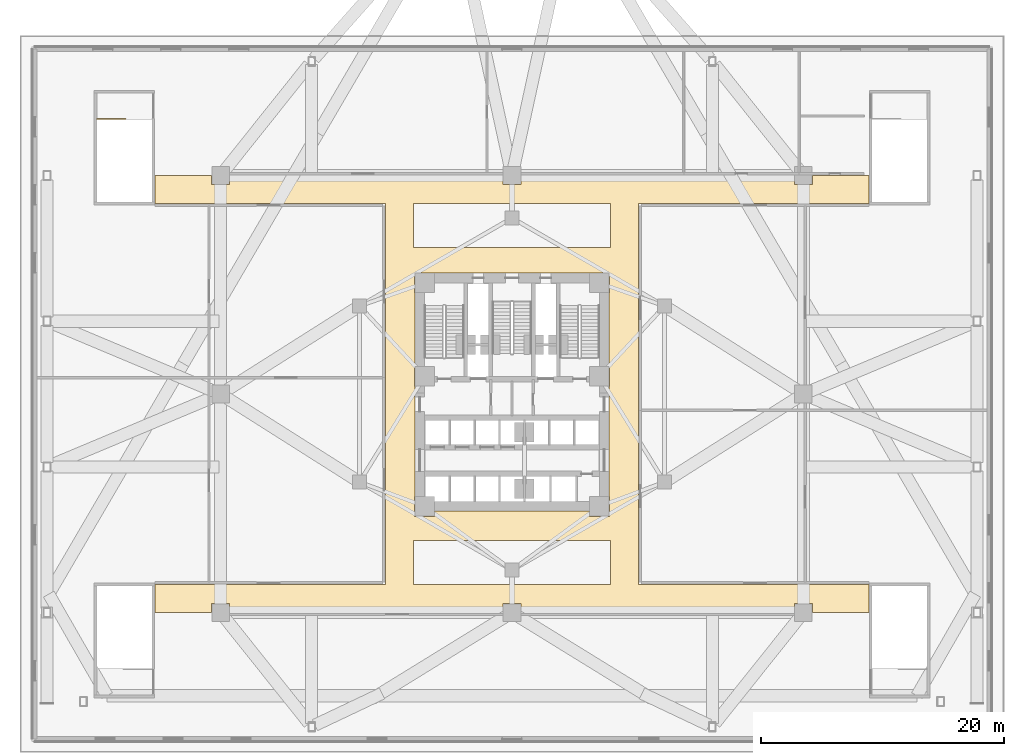
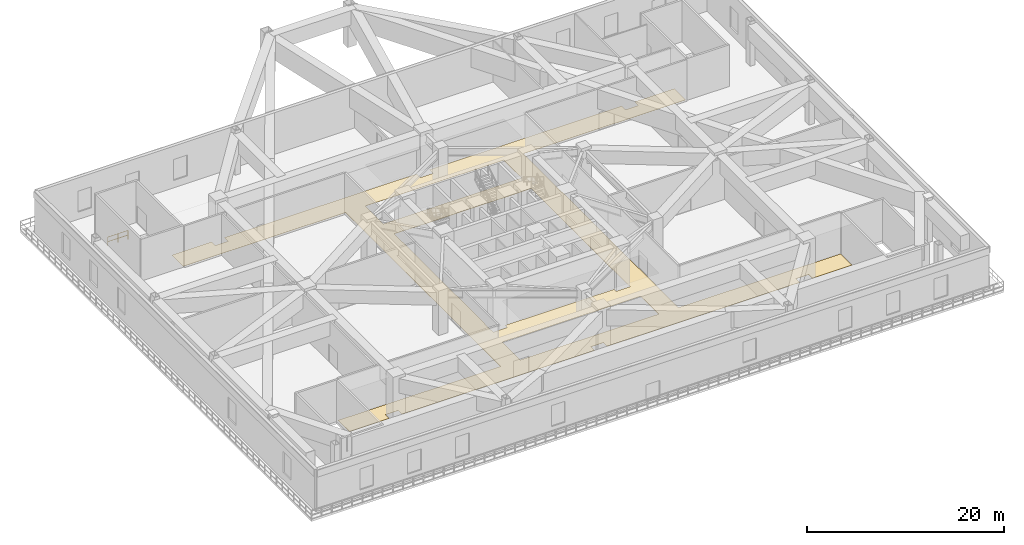
# One storey, part 13 of 15: 1 covering, 1 railing.
"""IFC4 building model written with IfcOpenShell, lengths in metres."""

from ifc_helpers import new_model, si_unit, direction, frame, origin, origin_2d, place, context, subcontext, project, spatial, polyline, rectangle, outline, extrude, material, layer, layer_set, type_object, element, save


model = new_model("IFC4")

# Units and contexts
model_context = context("Model", 3, precision=1e-05, world=origin(), true_north=direction((0.0, 1.0)))
body_context = subcontext(model_context, "Body", "Model", "MODEL_VIEW")
ifc_project = project(units=[si_unit("LENGTHUNIT", "METRE"), si_unit("AREAUNIT", "SQUARE_METRE"), si_unit("VOLUMEUNIT", "CUBIC_METRE"), si_unit("PLANEANGLEUNIT", "RADIAN"), si_unit("MASSUNIT", "GRAM", prefix="KILO")], contexts=[model_context])

# Site, building, storey
site_placement = place(None, origin())
site = spatial("IfcSite", under=ifc_project, at=site_placement, CompositionType="ELEMENT")
building_placement = place(site_placement, origin())
building = spatial("IfcBuilding", under=site, at=building_placement, Name="Apsidion Concourse Tower", CompositionType="ELEMENT")
storey_placement = place(building_placement, frame((0.0, 0.0, 23.5)))
storey = spatial("IfcBuildingStorey", under=building, at=storey_placement, Name="L04", CompositionType="ELEMENT", Elevation=23.5)

# Covering
ifc_material_1 = material(Name="Honed travertine floor finish", Category="masonry")
ifc_layer = layer(ifc_material_1, 0.02001953125)
ifc_layer_set = layer_set([ifc_layer], Name="Honed travertine floor finish")
covering_type = type_object("IfcCoveringType", Name="COV-FLOR-20", PredefinedType="FLOORING", material=ifc_layer_set)
covering_placement = place(storey_placement, origin())
element("IfcCovering", 1, at=covering_placement, inside=storey, type_object=covering_type, Name="L04 Honed Travertine Floor Finish 2", PredefinedType="FLOORING", context=body_context, shape_type="SweptSolid", body=[
    extrude(outline(polyline([(8.10009765625, -18.0), (0.7451171875, -18.0), (0.7451171875, -17.27490234375), (0.744873046875, -17.27294921875), (0.74462890625, -17.27099609375), (0.744140625, -17.269287109375), (0.743408203125, -17.267333984375), (0.74267578125, -17.265625), (0.74169921875, -17.263916015625), (0.740478515625, -17.26220703125), (0.739013671875, -17.260986328125), (0.73779296875, -17.259521484375), (0.736083984375, -17.25830078125), (0.734375, -17.25732421875), (0.732666015625, -17.256591796875), (0.730712890625, -17.255859375), (0.72900390625, -17.25537109375), (0.72705078125, -17.255126953125), (0.72509765625, -17.2548828125), (-0.72509765625, -17.2548828125), (-0.72705078125, -17.255126953125), (-0.72900390625, -17.25537109375), (-0.730712890625, -17.255859375), (-0.732666015625, -17.256591796875), (-0.734375, -17.25732421875), (-0.736083984375, -17.25830078125), (-0.73779296875, -17.259521484375), (-0.739013671875, -17.260986328125), (-0.740478515625, -17.26220703125), (-0.74169921875, -17.263916015625), (-0.74267578125, -17.265625), (-0.743408203125, -17.267333984375), (-0.744140625, -17.269287109375), (-0.74462890625, -17.27099609375), (-0.744873046875, -17.27294921875), (-0.7451171875, -17.27490234375), (-0.7451171875, -18.0), (-8.10009765625, -18.0), (-10.39990234375, -18.0), (-23.2548828125, -18.0), (-23.2548828125, -17.27490234375), (-23.255126953125, -17.27294921875), (-23.25537109375, -17.27099609375), (-23.255859375, -17.269287109375), (-23.256591796875, -17.267333984375), (-23.25732421875, -17.265625), (-23.25830078125, -17.263916015625), (-23.259521484375, -17.26220703125), (-23.260986328125, -17.260986328125), (-23.26220703125, -17.259521484375), (-23.263916015625, -17.25830078125), (-23.265625, -17.25732421875), (-23.267333984375, -17.256591796875), (-23.269287109375, -17.255859375), (-23.27099609375, -17.25537109375), (-23.27294921875, -17.255126953125), (-23.27490234375, -17.2548828125), (-24.72509765625, -17.2548828125), (-24.72705078125, -17.255126953125), (-24.72900390625, -17.25537109375), (-24.730712890625, -17.255859375), (-24.732666015625, -17.256591796875), (-24.734375, -17.25732421875), (-24.736083984375, -17.25830078125), (-24.73779296875, -17.259521484375), (-24.739013671875, -17.260986328125), (-24.740478515625, -17.26220703125), (-24.74169921875, -17.263916015625), (-24.74267578125, -17.265625), (-24.743408203125, -17.267333984375), (-24.744140625, -17.269287109375), (-24.74462890625, -17.27099609375), (-24.744873046875, -17.27294921875), (-24.7451171875, -17.27490234375), (-24.7451171875, -18.0), (-29.39990234375, -18.0), (-29.39990234375, -15.699951171875), (-10.39990234375, -15.699951171875), (-10.39990234375, -12.050048828125), (-10.39990234375, 12.050048828125), (-10.39990234375, 15.699951171875), (-29.39990234375, 15.699951171875), (-29.39990234375, 18.0), (-24.7451171875, 18.0), (-24.7451171875, 17.27490234375), (-24.744873046875, 17.27294921875), (-24.74462890625, 17.27099609375), (-24.744140625, 17.269287109375), (-24.743408203125, 17.267333984375), (-24.74267578125, 17.265625), (-24.74169921875, 17.263916015625), (-24.740478515625, 17.26220703125), (-24.739013671875, 17.260986328125), (-24.73779296875, 17.259521484375), (-24.736083984375, 17.25830078125), (-24.734375, 17.25732421875), (-24.732666015625, 17.256591796875), (-24.730712890625, 17.255859375), (-24.72900390625, 17.25537109375), (-24.72705078125, 17.255126953125), (-24.72509765625, 17.2548828125), (-23.27490234375, 17.2548828125), (-23.27294921875, 17.255126953125), (-23.27099609375, 17.25537109375), (-23.269287109375, 17.255859375), (-23.267333984375, 17.256591796875), (-23.265625, 17.25732421875), (-23.263916015625, 17.25830078125), (-23.26220703125, 17.259521484375), (-23.260986328125, 17.260986328125), (-23.259521484375, 17.26220703125), (-23.25830078125, 17.263916015625), (-23.25732421875, 17.265625), (-23.256591796875, 17.267333984375), (-23.255859375, 17.269287109375), (-23.25537109375, 17.27099609375), (-23.255126953125, 17.27294921875), (-23.2548828125, 17.27490234375), (-23.2548828125, 18.0), (-10.39990234375, 18.0), (-8.10009765625, 18.0), (-0.7451171875, 18.0), (-0.7451171875, 17.27490234375), (-0.744873046875, 17.27294921875), (-0.74462890625, 17.27099609375), (-0.744140625, 17.269287109375), (-0.743408203125, 17.267333984375), (-0.74267578125, 17.265625), (-0.74169921875, 17.263916015625), (-0.740478515625, 17.26220703125), (-0.739013671875, 17.260986328125), (-0.73779296875, 17.259521484375), (-0.736083984375, 17.25830078125), (-0.734375, 17.25732421875), (-0.732666015625, 17.256591796875), (-0.730712890625, 17.255859375), (-0.72900390625, 17.25537109375), (-0.72705078125, 17.255126953125), (-0.72509765625, 17.2548828125), (0.72509765625, 17.2548828125), (0.72705078125, 17.255126953125), (0.72900390625, 17.25537109375), (0.730712890625, 17.255859375), (0.732666015625, 17.256591796875), (0.734375, 17.25732421875), (0.736083984375, 17.25830078125), (0.73779296875, 17.259521484375), (0.739013671875, 17.260986328125), (0.740478515625, 17.26220703125), (0.74169921875, 17.263916015625), (0.74267578125, 17.265625), (0.743408203125, 17.267333984375), (0.744140625, 17.269287109375), (0.74462890625, 17.27099609375), (0.744873046875, 17.27294921875), (0.7451171875, 17.27490234375), (0.7451171875, 18.0), (8.10009765625, 18.0), (10.39990234375, 18.0), (23.2548828125, 18.0), (23.2548828125, 17.27490234375), (23.255126953125, 17.27294921875), (23.25537109375, 17.27099609375), (23.255859375, 17.269287109375), (23.256591796875, 17.267333984375), (23.25732421875, 17.265625), (23.25830078125, 17.263916015625), (23.259521484375, 17.26220703125), (23.260986328125, 17.260986328125), (23.26220703125, 17.259521484375), (23.263916015625, 17.25830078125), (23.265625, 17.25732421875), (23.267333984375, 17.256591796875), (23.269287109375, 17.255859375), (23.27099609375, 17.25537109375), (23.27294921875, 17.255126953125), (23.27490234375, 17.2548828125), (24.72509765625, 17.2548828125), (24.72705078125, 17.255126953125), (24.72900390625, 17.25537109375), (24.730712890625, 17.255859375), (24.732666015625, 17.256591796875), (24.734375, 17.25732421875), (24.736083984375, 17.25830078125), (24.73779296875, 17.259521484375), (24.739013671875, 17.260986328125), (24.740478515625, 17.26220703125), (24.74169921875, 17.263916015625), (24.74267578125, 17.265625), (24.743408203125, 17.267333984375), (24.744140625, 17.269287109375), (24.74462890625, 17.27099609375), (24.744873046875, 17.27294921875), (24.7451171875, 17.27490234375), (24.7451171875, 18.0), (29.39990234375, 18.0), (29.39990234375, 15.699951171875), (10.39990234375, 15.699951171875), (10.39990234375, 12.050048828125), (10.39990234375, -12.050048828125), (10.39990234375, -15.699951171875), (29.39990234375, -15.699951171875), (29.39990234375, -18.0), (24.7451171875, -18.0), (24.7451171875, -17.27490234375), (24.744873046875, -17.27294921875), (24.74462890625, -17.27099609375), (24.744140625, -17.269287109375), (24.743408203125, -17.267333984375), (24.74267578125, -17.265625), (24.74169921875, -17.263916015625), (24.740478515625, -17.26220703125), (24.739013671875, -17.260986328125), (24.73779296875, -17.259521484375), (24.736083984375, -17.25830078125), (24.734375, -17.25732421875), (24.732666015625, -17.256591796875), (24.730712890625, -17.255859375), (24.72900390625, -17.25537109375), (24.72705078125, -17.255126953125), (24.72509765625, -17.2548828125), (23.27490234375, -17.2548828125), (23.27294921875, -17.255126953125), (23.27099609375, -17.25537109375), (23.269287109375, -17.255859375), (23.267333984375, -17.256591796875), (23.265625, -17.25732421875), (23.263916015625, -17.25830078125), (23.26220703125, -17.259521484375), (23.260986328125, -17.260986328125), (23.259521484375, -17.26220703125), (23.25830078125, -17.263916015625), (23.25732421875, -17.265625), (23.256591796875, -17.267333984375), (23.255859375, -17.269287109375), (23.25537109375, -17.27099609375), (23.255126953125, -17.27294921875), (23.2548828125, -17.27490234375), (23.2548828125, -18.0), (10.39990234375, -18.0), (8.10009765625, -18.0)]), holes=[polyline([(8.10009765625, -12.050048828125), (-8.10009765625, -12.050048828125), (-8.10009765625, -15.699951171875), (8.10009765625, -15.699951171875), (8.10009765625, -12.050048828125)]), polyline([(-8.10009765625, 15.699951171875), (-8.10009765625, 12.050048828125), (8.10009765625, 12.050048828125), (8.10009765625, 15.699951171875), (-8.10009765625, 15.699951171875)]), polyline([(6.3798828125, -9.64990234375), (6.3798828125, -10.050048828125), (6.380126953125, -10.052001953125), (6.38037109375, -10.053955078125), (6.380859375, -10.055908203125), (6.381591796875, -10.0576171875), (6.38232421875, -10.059326171875), (6.38330078125, -10.06103515625), (6.384521484375, -10.062744140625), (6.385986328125, -10.064208984375), (6.38720703125, -10.0654296875), (6.388916015625, -10.066650390625), (6.390625, -10.067626953125), (6.392333984375, -10.068603515625), (6.394287109375, -10.069091796875), (6.39599609375, -10.069580078125), (6.39794921875, -10.06982421875), (6.39990234375, -10.070068359375), (8.0, -10.070068359375), (8.001953125, -10.06982421875), (8.00390625, -10.069580078125), (8.005859375, -10.069091796875), (8.0078125, -10.068603515625), (8.009521484375, -10.067626953125), (8.010986328125, -10.066650390625), (8.0126953125, -10.0654296875), (8.01416015625, -10.064208984375), (8.015380859375, -10.062744140625), (8.0166015625, -10.06103515625), (8.017578125, -10.059326171875), (8.0185546875, -10.0576171875), (8.01904296875, -10.055908203125), (8.01953125, -10.053955078125), (8.02001953125, -10.052001953125), (8.02001953125, -10.050048828125), (8.02001953125, -8.449951171875), (8.02001953125, -8.447998046875), (8.01953125, -8.446044921875), (8.01904296875, -8.444091796875), (8.0185546875, -8.4423828125), (8.017578125, -8.440673828125), (8.0166015625, -8.43896484375), (8.015380859375, -8.437255859375), (8.01416015625, -8.435791015625), (8.0126953125, -8.4345703125), (8.010986328125, -8.433349609375), (8.009521484375, -8.432373046875), (8.0078125, -8.431396484375), (8.005859375, -8.430908203125), (8.00390625, -8.430419921875), (8.001953125, -8.43017578125), (8.0, -8.429931640625), (8.0, 0.6298828125), (8.001953125, 0.630126953125), (8.00390625, 0.63037109375), (8.005859375, 0.630859375), (8.0078125, 0.631591796875), (8.009521484375, 0.63232421875), (8.010986328125, 0.63330078125), (8.0126953125, 0.634521484375), (8.01416015625, 0.635986328125), (8.015380859375, 0.63720703125), (8.0166015625, 0.638916015625), (8.017578125, 0.640625), (8.0185546875, 0.642333984375), (8.01904296875, 0.644287109375), (8.01953125, 0.64599609375), (8.02001953125, 0.64794921875), (8.02001953125, 0.64990234375), (8.02001953125, 2.25), (8.02001953125, 2.251953125), (8.01953125, 2.25390625), (8.01904296875, 2.255859375), (8.0185546875, 2.2578125), (8.017578125, 2.259521484375), (8.0166015625, 2.260986328125), (8.015380859375, 2.2626953125), (8.01416015625, 2.26416015625), (8.0126953125, 2.265380859375), (8.010986328125, 2.2666015625), (8.009521484375, 2.267578125), (8.0078125, 2.2685546875), (8.005859375, 2.26904296875), (8.00390625, 2.26953125), (8.001953125, 2.27001953125), (8.0, 2.27001953125), (8.0, 8.330078125), (8.001953125, 8.330078125), (8.00390625, 8.330322265625), (8.005859375, 8.330810546875), (8.0078125, 8.33154296875), (8.009521484375, 8.33251953125), (8.010986328125, 8.33349609375), (8.0126953125, 8.33447265625), (8.01416015625, 8.3359375), (8.015380859375, 8.33740234375), (8.0166015625, 8.3388671875), (8.017578125, 8.340576171875), (8.0185546875, 8.34228515625), (8.01904296875, 8.34423828125), (8.01953125, 8.34619140625), (8.02001953125, 8.347900390625), (8.02001953125, 8.35009765625), (8.02001953125, 9.949951171875), (8.02001953125, 9.951904296875), (8.01953125, 9.953857421875), (8.01904296875, 9.955810546875), (8.0185546875, 9.957763671875), (8.017578125, 9.95947265625), (8.0166015625, 9.961181640625), (8.015380859375, 9.962646484375), (8.01416015625, 9.964111328125), (8.0126953125, 9.965576171875), (8.010986328125, 9.966552734375), (8.009521484375, 9.967529296875), (8.0078125, 9.968505859375), (8.005859375, 9.968994140625), (8.00390625, 9.969482421875), (8.001953125, 9.969970703125), (8.0, 9.969970703125), (6.39990234375, 9.969970703125), (6.39794921875, 9.969970703125), (6.39599609375, 9.969482421875), (6.394287109375, 9.968994140625), (6.392333984375, 9.968505859375), (6.390625, 9.967529296875), (6.388916015625, 9.966552734375), (6.38720703125, 9.965576171875), (6.385986328125, 9.964111328125), (6.384521484375, 9.962646484375), (6.38330078125, 9.961181640625), (6.38232421875, 9.95947265625), (6.381591796875, 9.957763671875), (6.380859375, 9.955810546875), (6.38037109375, 9.953857421875), (6.380126953125, 9.951904296875), (6.3798828125, 9.949951171875), (6.3798828125, 9.949951171875), (-6.3798828125, 9.949951171875), (-6.3798828125, 9.949951171875), (-6.380126953125, 9.951904296875), (-6.38037109375, 9.953857421875), (-6.380859375, 9.955810546875), (-6.381591796875, 9.957763671875), (-6.38232421875, 9.95947265625), (-6.38330078125, 9.961181640625), (-6.384521484375, 9.962646484375), (-6.385986328125, 9.964111328125), (-6.38720703125, 9.965576171875), (-6.388916015625, 9.966552734375), (-6.390625, 9.967529296875), (-6.392333984375, 9.968505859375), (-6.394287109375, 9.968994140625), (-6.39599609375, 9.969482421875), (-6.39794921875, 9.969970703125), (-6.39990234375, 9.969970703125), (-8.0, 9.969970703125), (-8.001953125, 9.969970703125), (-8.00390625, 9.969482421875), (-8.005859375, 9.968994140625), (-8.0078125, 9.968505859375), (-8.009521484375, 9.967529296875), (-8.010986328125, 9.966552734375), (-8.0126953125, 9.965576171875), (-8.01416015625, 9.964111328125), (-8.015380859375, 9.962646484375), (-8.0166015625, 9.961181640625), (-8.017578125, 9.95947265625), (-8.0185546875, 9.957763671875), (-8.01904296875, 9.955810546875), (-8.01953125, 9.953857421875), (-8.02001953125, 9.951904296875), (-8.02001953125, 9.949951171875), (-8.02001953125, 8.35009765625), (-8.02001953125, 8.347900390625), (-8.01953125, 8.34619140625), (-8.01904296875, 8.34423828125), (-8.0185546875, 8.34228515625), (-8.017578125, 8.340576171875), (-8.0166015625, 8.3388671875), (-8.015380859375, 8.33740234375), (-8.01416015625, 8.3359375), (-8.0126953125, 8.33447265625), (-8.010986328125, 8.33349609375), (-8.009521484375, 8.33251953125), (-8.0078125, 8.33154296875), (-8.005859375, 8.330810546875), (-8.00390625, 8.330322265625), (-8.001953125, 8.330078125), (-8.0, 8.330078125), (-8.0, 2.27001953125), (-8.001953125, 2.27001953125), (-8.00390625, 2.26953125), (-8.005859375, 2.26904296875), (-8.0078125, 2.2685546875), (-8.009521484375, 2.267578125), (-8.010986328125, 2.2666015625), (-8.0126953125, 2.265380859375), (-8.01416015625, 2.26416015625), (-8.015380859375, 2.2626953125), (-8.0166015625, 2.260986328125), (-8.017578125, 2.259521484375), (-8.0185546875, 2.2578125), (-8.01904296875, 2.255859375), (-8.01953125, 2.25390625), (-8.02001953125, 2.251953125), (-8.02001953125, 2.25), (-8.02001953125, 0.64990234375), (-8.02001953125, 0.64794921875), (-8.01953125, 0.64599609375), (-8.01904296875, 0.644287109375), (-8.0185546875, 0.642333984375), (-8.017578125, 0.640625), (-8.0166015625, 0.638916015625), (-8.015380859375, 0.63720703125), (-8.01416015625, 0.635986328125), (-8.0126953125, 0.634521484375), (-8.010986328125, 0.63330078125), (-8.009521484375, 0.63232421875), (-8.0078125, 0.631591796875), (-8.005859375, 0.630859375), (-8.00390625, 0.63037109375), (-8.001953125, 0.630126953125), (-8.0, 0.6298828125), (-8.0, -8.429931640625), (-8.001953125, -8.43017578125), (-8.00390625, -8.430419921875), (-8.005859375, -8.430908203125), (-8.0078125, -8.431396484375), (-8.009521484375, -8.432373046875), (-8.010986328125, -8.433349609375), (-8.0126953125, -8.4345703125), (-8.01416015625, -8.435791015625), (-8.015380859375, -8.437255859375), (-8.0166015625, -8.43896484375), (-8.017578125, -8.440673828125), (-8.0185546875, -8.4423828125), (-8.01904296875, -8.444091796875), (-8.01953125, -8.446044921875), (-8.02001953125, -8.447998046875), (-8.02001953125, -8.449951171875), (-8.02001953125, -10.050048828125), (-8.02001953125, -10.052001953125), (-8.01953125, -10.053955078125), (-8.01904296875, -10.055908203125), (-8.0185546875, -10.0576171875), (-8.017578125, -10.059326171875), (-8.0166015625, -10.06103515625), (-8.015380859375, -10.062744140625), (-8.01416015625, -10.064208984375), (-8.0126953125, -10.0654296875), (-8.010986328125, -10.066650390625), (-8.009521484375, -10.067626953125), (-8.0078125, -10.068603515625), (-8.005859375, -10.069091796875), (-8.00390625, -10.069580078125), (-8.001953125, -10.06982421875), (-8.0, -10.070068359375), (-6.39990234375, -10.070068359375), (-6.39794921875, -10.06982421875), (-6.39599609375, -10.069580078125), (-6.394287109375, -10.069091796875), (-6.392333984375, -10.068603515625), (-6.390625, -10.067626953125), (-6.388916015625, -10.066650390625), (-6.38720703125, -10.0654296875), (-6.385986328125, -10.064208984375), (-6.384521484375, -10.062744140625), (-6.38330078125, -10.06103515625), (-6.38232421875, -10.059326171875), (-6.381591796875, -10.0576171875), (-6.380859375, -10.055908203125), (-6.38037109375, -10.053955078125), (-6.380126953125, -10.052001953125), (-6.3798828125, -10.050048828125), (-6.3798828125, -9.64990234375), (6.3798828125, -9.64990234375)])]), origin(), (0.0, 0.0, 1.0), 0.02001953125),
])

# Railing
ifc_material_2 = material(Name="Brushed stainless steel 316", Category="steel")
railing_type = type_object("IfcRailingType", Name="RL-GUARD-1100", PredefinedType="GUARDRAIL", material=ifc_material_2)
railing_placement = place(storey_placement, frame((-34.199951171875, 22.64990234375, 0.0)))
element("IfcRailing", 2, at=railing_placement, inside=storey, type_object=railing_type, Name="L04 ST-P3 top well guard 1", PredefinedType="GUARDRAIL", context=body_context, shape_type="SweptSolid", body=[
    extrude(rectangle(XDim=0.048095703125, YDim=0.048095703125, at=origin_2d()), frame((0.0, 0.0, 1.09619140625), z_axis=(1.0, 0.0, 0.0), x_axis=(0.0, 1.0, 0.0)), (0.0, 0.0, 1.0), 2.349853515625),
    extrude(rectangle(XDim=0.048095703125, YDim=0.048095703125, at=origin_2d()), frame((0.0, 0.0, 0.5361328125), z_axis=(1.0, 0.0, 0.0), x_axis=(0.0, 1.0, 0.0)), (0.0, 0.0, 1.0), 2.349853515625),
    extrude(rectangle(XDim=0.0419921875, YDim=0.0419921875, at=origin_2d()), origin(), (0.0, 0.0, 1.0), 1.072021484375),
    extrude(rectangle(XDim=0.0419921875, YDim=0.0419921875, at=origin_2d()), frame((1.1748046875, 0.0, 0.0)), (0.0, 0.0, 1.0), 1.072021484375),
    extrude(rectangle(XDim=0.0419921875, YDim=0.0419921875, at=origin_2d()), frame((2.349853515625, 0.0, 0.0)), (0.0, 0.0, 1.0), 1.072021484375),
])

save(model, "model.ifc")
